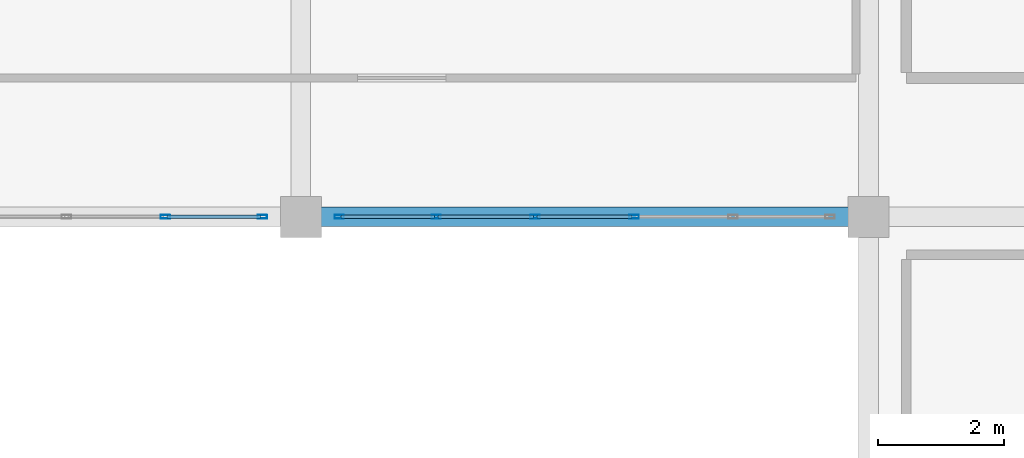
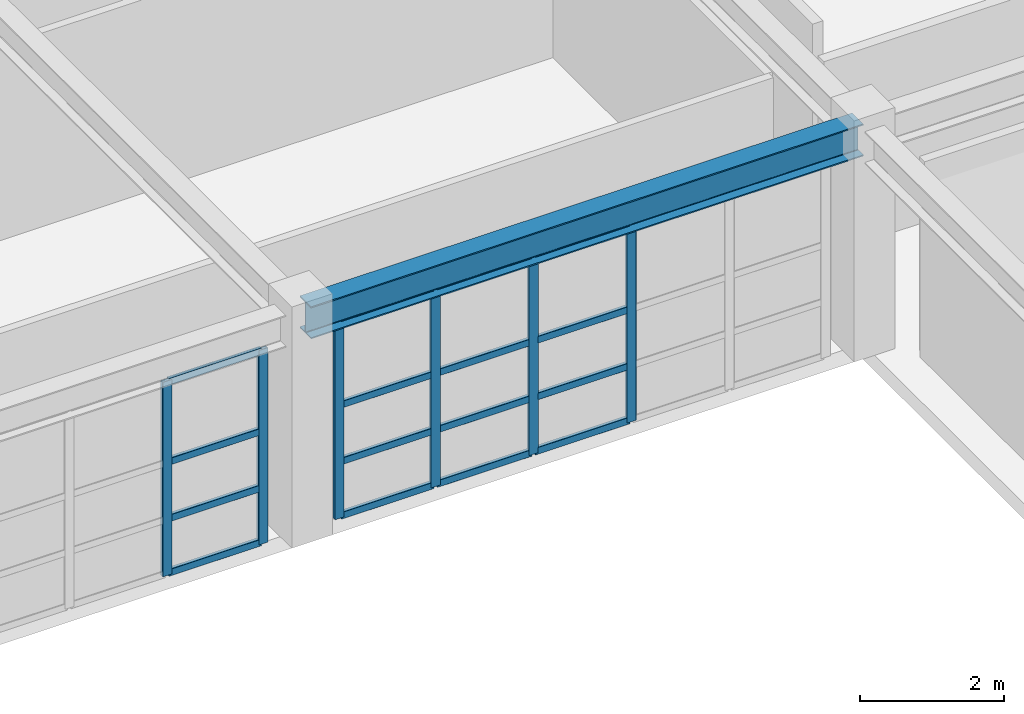
# One storey, part 86 of 130: 22 members, 1 beam, 2 elements without a shape of their own.
"""IFC4 building model written with IfcOpenShell, lengths in metres."""

from ifc_helpers import new_model, si_unit, direction, frame, origin, origin_2d, place, context, subcontext, project, spatial, hollow_rectangle, i_section, extrude, material, material_profile, profile_set, type_object, element, aggregate, save


model = new_model("IFC4")

# Units and contexts
model_context = context("Model", 3, precision=1e-05, world=origin(), true_north=direction((0.0, 1.0)))
body_context = subcontext(model_context, "Body", "Model", "MODEL_VIEW")
ifc_project = project(units=[si_unit("LENGTHUNIT", "METRE"), si_unit("AREAUNIT", "SQUARE_METRE"), si_unit("VOLUMEUNIT", "CUBIC_METRE"), si_unit("PLANEANGLEUNIT", "RADIAN"), si_unit("MASSUNIT", "GRAM", prefix="KILO")], contexts=[model_context])

# Site, building, storey
site_placement = place(None, origin())
site = spatial("IfcSite", under=ifc_project, at=site_placement, CompositionType="ELEMENT")
building_placement = place(site_placement, origin())
building = spatial("IfcBuilding", under=site, at=building_placement, Name="Miravela Opera House", CompositionType="ELEMENT")
storey_placement = place(building_placement, frame((0.0, 0.0, 9.52001953125)))
storey = spatial("IfcBuildingStorey", under=building, at=storey_placement, Name="L02", CompositionType="ELEMENT", Elevation=9.52001953125)

# Curtain wall, members
ifc_material_1 = material(Name="Anodised architectural bronze aluminium 6063-T6", Category="aluminium")
curtain_wall_type = type_object("IfcCurtainWallType", Name="ARC-CW-05", PredefinedType="NOTDEFINED", material=ifc_material_1)
curtain_wall_1_placement = place(storey_placement, origin())
curtain_wall_1 = element("IfcCurtainWall", 1, at=curtain_wall_1_placement, inside=storey, type_object=curtain_wall_type, Name="Courtyard Arcade Curtain Wall CW-L02-185", PredefinedType="NOTDEFINED")
ifc_material_profile_1 = material_profile(ifc_material_1, hollow_rectangle(XDim=0.06005859375, YDim=0.14990234375, WallThickness=0.00390625, InnerFilletRadius=0.001953125, OuterFilletRadius=0.00390625, at=origin_2d()), Name="CWM-60X150")
ifc_profile_set_1 = profile_set([ifc_material_profile_1])
member_type_1 = type_object("IfcMemberType", Name="ARC-CWM-150", PredefinedType="MULLION", material=ifc_profile_set_1)
member_1_placement = place(storey_placement, frame((132.85205078125, 103.0, 0.0), z_axis=(0.0, 0.0, 1.0), x_axis=(0.0, 1.0, 0.0)))
member_1 = element("IfcMember", 2, at=member_1_placement, type_object=member_type_1, Name="CW-05 mullion 5", PredefinedType="MULLION", context=body_context, shape_type="SweptSolid", body=[
    extrude(hollow_rectangle(XDim=0.06005859375, YDim=0.14990234375, WallThickness=0.00390625, InnerFilletRadius=0.001953125, OuterFilletRadius=0.00390625, at=origin_2d()), origin(), (0.0, 0.0, 1.0), 3.2900390625),
])
member_2_placement = place(storey_placement, frame((134.389892578125, 103.0, 0.0), z_axis=(0.0, 0.0, 1.0), x_axis=(0.0, 1.0, 0.0)))
member_2 = element("IfcMember", 3, at=member_2_placement, type_object=member_type_1, Name="CW-05 mullion 6", PredefinedType="MULLION", context=body_context, shape_type="SweptSolid", body=[
    extrude(hollow_rectangle(XDim=0.06005859375, YDim=0.14990234375, WallThickness=0.00390625, InnerFilletRadius=0.001953125, OuterFilletRadius=0.00390625, at=origin_2d()), origin(), (0.0, 0.0, 1.0), 3.2900390625),
])

curtain_wall_2_placement = place(storey_placement, origin())
curtain_wall_2 = element("IfcCurtainWall", 4, at=curtain_wall_2_placement, inside=storey, type_object=curtain_wall_type, Name="Courtyard Arcade Curtain Wall CW-L02-189", PredefinedType="NOTDEFINED")
member_3_placement = place(storey_placement, frame((135.610107421875, 103.0, 0.0), z_axis=(0.0, 0.0, 1.0), x_axis=(0.0, 1.0, 0.0)))
member_3 = element("IfcMember", 5, at=member_3_placement, type_object=member_type_1, Name="CW-05 mullion 1", PredefinedType="MULLION", context=body_context, shape_type="SweptSolid", body=[
    extrude(hollow_rectangle(XDim=0.06005859375, YDim=0.14990234375, WallThickness=0.00390625, InnerFilletRadius=0.001953125, OuterFilletRadius=0.00390625, at=origin_2d()), origin(), (0.0, 0.0, 1.0), 3.2900390625),
])
member_4_placement = place(storey_placement, frame((137.14794921875, 103.0, 0.0), z_axis=(0.0, 0.0, 1.0), x_axis=(0.0, 1.0, 0.0)))
member_4 = element("IfcMember", 6, at=member_4_placement, type_object=member_type_1, Name="CW-05 mullion 2", PredefinedType="MULLION", context=body_context, shape_type="SweptSolid", body=[
    extrude(hollow_rectangle(XDim=0.06005859375, YDim=0.14990234375, WallThickness=0.00390625, InnerFilletRadius=0.001953125, OuterFilletRadius=0.00390625, at=origin_2d()), origin(), (0.0, 0.0, 1.0), 3.2900390625),
])
member_5_placement = place(storey_placement, frame((138.716064453125, 103.0, 0.0), z_axis=(0.0, 0.0, 1.0), x_axis=(0.0, 1.0, 0.0)))
member_5 = element("IfcMember", 7, at=member_5_placement, type_object=member_type_1, Name="CW-05 mullion 3", PredefinedType="MULLION", context=body_context, shape_type="SweptSolid", body=[
    extrude(hollow_rectangle(XDim=0.06005859375, YDim=0.14990234375, WallThickness=0.00390625, InnerFilletRadius=0.001953125, OuterFilletRadius=0.00390625, at=origin_2d()), origin(), (0.0, 0.0, 1.0), 3.2900390625),
])
member_6_placement = place(storey_placement, frame((140.283935546875, 103.0, 0.0), z_axis=(0.0, 0.0, 1.0), x_axis=(0.0, 1.0, 0.0)))
member_6 = element("IfcMember", 8, at=member_6_placement, type_object=member_type_1, Name="CW-05 mullion 4", PredefinedType="MULLION", context=body_context, shape_type="SweptSolid", body=[
    extrude(hollow_rectangle(XDim=0.06005859375, YDim=0.14990234375, WallThickness=0.00390625, InnerFilletRadius=0.001953125, OuterFilletRadius=0.00390625, at=origin_2d()), origin(), (0.0, 0.0, 1.0), 3.2900390625),
])

# Member
ifc_material_profile_2 = material_profile(ifc_material_1, hollow_rectangle(XDim=0.06005859375, YDim=0.114990234375, WallThickness=0.00390625, InnerFilletRadius=0.001953125, OuterFilletRadius=0.00390625, at=origin_2d()), Name="CWT-60X115")
ifc_profile_set_2 = profile_set([ifc_material_profile_2])
member_type_2 = type_object("IfcMemberType", Name="ARC-CWT-115", PredefinedType="USERDEFINED", material=ifc_profile_set_2)
member_7_placement = place(storey_placement, frame((132.882080078125, 103.0, 0.030029296875), z_axis=(1.0, 0.0, 0.0), x_axis=(0.0, 1.0, 0.0)))
member_7 = element("IfcMember", 9, at=member_7_placement, type_object=member_type_2, Name="CW-05 transom 5.1", ObjectType="TRANSOM", PredefinedType="USERDEFINED", context=body_context, shape_type="SweptSolid", body=[
    extrude(hollow_rectangle(XDim=0.06005859375, YDim=0.114990234375, WallThickness=0.00390625, InnerFilletRadius=0.001953125, OuterFilletRadius=0.00390625, at=origin_2d()), origin(), (0.0, 0.0, 1.0), 1.47802734375),
])

member_8_placement = place(storey_placement, frame((132.882080078125, 103.0, 0.949951171875), z_axis=(1.0, 0.0, 0.0), x_axis=(0.0, 1.0, 0.0)))
member_8 = element("IfcMember", 10, at=member_8_placement, type_object=member_type_2, Name="CW-05 transom 5.2", ObjectType="TRANSOM", PredefinedType="USERDEFINED", context=body_context, shape_type="SweptSolid", body=[
    extrude(hollow_rectangle(XDim=0.06005859375, YDim=0.114990234375, WallThickness=0.00390625, InnerFilletRadius=0.001953125, OuterFilletRadius=0.00390625, at=origin_2d()), origin(), (0.0, 0.0, 1.0), 1.47802734375),
])

member_9_placement = place(storey_placement, frame((132.882080078125, 103.0, 1.908203125), z_axis=(1.0, 0.0, 0.0), x_axis=(0.0, 1.0, 0.0)))
member_9 = element("IfcMember", 11, at=member_9_placement, type_object=member_type_2, Name="CW-05 transom 5.3", ObjectType="TRANSOM", PredefinedType="USERDEFINED", context=body_context, shape_type="SweptSolid", body=[
    extrude(hollow_rectangle(XDim=0.06005859375, YDim=0.114990234375, WallThickness=0.00390625, InnerFilletRadius=0.001953125, OuterFilletRadius=0.00390625, at=origin_2d()), origin(), (0.0, 0.0, 1.0), 1.47802734375),
])

member_10_placement = place(storey_placement, frame((132.882080078125, 103.0, 3.260009765625), z_axis=(1.0, 0.0, 0.0), x_axis=(0.0, 1.0, 0.0)))
member_10 = element("IfcMember", 12, at=member_10_placement, type_object=member_type_2, Name="CW-05 transom 5.4", ObjectType="TRANSOM", PredefinedType="USERDEFINED", context=body_context, shape_type="SweptSolid", body=[
    extrude(hollow_rectangle(XDim=0.06005859375, YDim=0.114990234375, WallThickness=0.00390625, InnerFilletRadius=0.001953125, OuterFilletRadius=0.00390625, at=origin_2d()), origin(), (0.0, 0.0, 1.0), 1.47802734375),
])

aggregate(curtain_wall_1, [member_1, member_2, member_7, member_8, member_9, member_10])

member_11_placement = place(storey_placement, frame((135.639892578125, 103.0, 0.030029296875), z_axis=(1.0, 0.0, 0.0), x_axis=(0.0, 1.0, 0.0)))
member_11 = element("IfcMember", 13, at=member_11_placement, type_object=member_type_2, Name="CW-05 transom 1.1", ObjectType="TRANSOM", PredefinedType="USERDEFINED", context=body_context, shape_type="SweptSolid", body=[
    extrude(hollow_rectangle(XDim=0.06005859375, YDim=0.114990234375, WallThickness=0.00390625, InnerFilletRadius=0.001953125, OuterFilletRadius=0.00390625, at=origin_2d()), origin(), (0.0, 0.0, 1.0), 1.47802734375),
])

member_12_placement = place(storey_placement, frame((135.639892578125, 103.0, 0.949951171875), z_axis=(1.0, 0.0, 0.0), x_axis=(0.0, 1.0, 0.0)))
member_12 = element("IfcMember", 14, at=member_12_placement, type_object=member_type_2, Name="CW-05 transom 1.2", ObjectType="TRANSOM", PredefinedType="USERDEFINED", context=body_context, shape_type="SweptSolid", body=[
    extrude(hollow_rectangle(XDim=0.06005859375, YDim=0.114990234375, WallThickness=0.00390625, InnerFilletRadius=0.001953125, OuterFilletRadius=0.00390625, at=origin_2d()), origin(), (0.0, 0.0, 1.0), 1.47802734375),
])

member_13_placement = place(storey_placement, frame((135.639892578125, 103.0, 1.908203125), z_axis=(1.0, 0.0, 0.0), x_axis=(0.0, 1.0, 0.0)))
member_13 = element("IfcMember", 15, at=member_13_placement, type_object=member_type_2, Name="CW-05 transom 1.3", ObjectType="TRANSOM", PredefinedType="USERDEFINED", context=body_context, shape_type="SweptSolid", body=[
    extrude(hollow_rectangle(XDim=0.06005859375, YDim=0.114990234375, WallThickness=0.00390625, InnerFilletRadius=0.001953125, OuterFilletRadius=0.00390625, at=origin_2d()), origin(), (0.0, 0.0, 1.0), 1.47802734375),
])

member_14_placement = place(storey_placement, frame((135.639892578125, 103.0, 3.260009765625), z_axis=(1.0, 0.0, 0.0), x_axis=(0.0, 1.0, 0.0)))
member_14 = element("IfcMember", 16, at=member_14_placement, type_object=member_type_2, Name="CW-05 transom 1.4", ObjectType="TRANSOM", PredefinedType="USERDEFINED", context=body_context, shape_type="SweptSolid", body=[
    extrude(hollow_rectangle(XDim=0.06005859375, YDim=0.114990234375, WallThickness=0.00390625, InnerFilletRadius=0.001953125, OuterFilletRadius=0.00390625, at=origin_2d()), origin(), (0.0, 0.0, 1.0), 1.47802734375),
])

member_15_placement = place(storey_placement, frame((137.177978515625, 103.0, 0.030029296875), z_axis=(1.0, 0.0, 0.0), x_axis=(0.0, 1.0, 0.0)))
member_15 = element("IfcMember", 17, at=member_15_placement, type_object=member_type_2, Name="CW-05 transom 2.1", ObjectType="TRANSOM", PredefinedType="USERDEFINED", context=body_context, shape_type="SweptSolid", body=[
    extrude(hollow_rectangle(XDim=0.06005859375, YDim=0.114990234375, WallThickness=0.00390625, InnerFilletRadius=0.001953125, OuterFilletRadius=0.00390625, at=origin_2d()), origin(), (0.0, 0.0, 1.0), 1.508056640625),
])

member_16_placement = place(storey_placement, frame((137.177978515625, 103.0, 0.949951171875), z_axis=(1.0, 0.0, 0.0), x_axis=(0.0, 1.0, 0.0)))
member_16 = element("IfcMember", 18, at=member_16_placement, type_object=member_type_2, Name="CW-05 transom 2.2", ObjectType="TRANSOM", PredefinedType="USERDEFINED", context=body_context, shape_type="SweptSolid", body=[
    extrude(hollow_rectangle(XDim=0.06005859375, YDim=0.114990234375, WallThickness=0.00390625, InnerFilletRadius=0.001953125, OuterFilletRadius=0.00390625, at=origin_2d()), origin(), (0.0, 0.0, 1.0), 1.508056640625),
])

member_17_placement = place(storey_placement, frame((137.177978515625, 103.0, 1.908203125), z_axis=(1.0, 0.0, 0.0), x_axis=(0.0, 1.0, 0.0)))
member_17 = element("IfcMember", 19, at=member_17_placement, type_object=member_type_2, Name="CW-05 transom 2.3", ObjectType="TRANSOM", PredefinedType="USERDEFINED", context=body_context, shape_type="SweptSolid", body=[
    extrude(hollow_rectangle(XDim=0.06005859375, YDim=0.114990234375, WallThickness=0.00390625, InnerFilletRadius=0.001953125, OuterFilletRadius=0.00390625, at=origin_2d()), origin(), (0.0, 0.0, 1.0), 1.508056640625),
])

member_18_placement = place(storey_placement, frame((137.177978515625, 103.0, 3.260009765625), z_axis=(1.0, 0.0, 0.0), x_axis=(0.0, 1.0, 0.0)))
member_18 = element("IfcMember", 20, at=member_18_placement, type_object=member_type_2, Name="CW-05 transom 2.4", ObjectType="TRANSOM", PredefinedType="USERDEFINED", context=body_context, shape_type="SweptSolid", body=[
    extrude(hollow_rectangle(XDim=0.06005859375, YDim=0.114990234375, WallThickness=0.00390625, InnerFilletRadius=0.001953125, OuterFilletRadius=0.00390625, at=origin_2d()), origin(), (0.0, 0.0, 1.0), 1.508056640625),
])

member_19_placement = place(storey_placement, frame((138.74609375, 103.0, 0.030029296875), z_axis=(1.0, 0.0, 0.0), x_axis=(0.0, 1.0, 0.0)))
member_19 = element("IfcMember", 21, at=member_19_placement, type_object=member_type_2, Name="CW-05 transom 3.1", ObjectType="TRANSOM", PredefinedType="USERDEFINED", context=body_context, shape_type="SweptSolid", body=[
    extrude(hollow_rectangle(XDim=0.06005859375, YDim=0.114990234375, WallThickness=0.00390625, InnerFilletRadius=0.001953125, OuterFilletRadius=0.00390625, at=origin_2d()), origin(), (0.0, 0.0, 1.0), 1.5078125),
])

member_20_placement = place(storey_placement, frame((138.74609375, 103.0, 0.949951171875), z_axis=(1.0, 0.0, 0.0), x_axis=(0.0, 1.0, 0.0)))
member_20 = element("IfcMember", 22, at=member_20_placement, type_object=member_type_2, Name="CW-05 transom 3.2", ObjectType="TRANSOM", PredefinedType="USERDEFINED", context=body_context, shape_type="SweptSolid", body=[
    extrude(hollow_rectangle(XDim=0.06005859375, YDim=0.114990234375, WallThickness=0.00390625, InnerFilletRadius=0.001953125, OuterFilletRadius=0.00390625, at=origin_2d()), origin(), (0.0, 0.0, 1.0), 1.5078125),
])

member_21_placement = place(storey_placement, frame((138.74609375, 103.0, 1.908203125), z_axis=(1.0, 0.0, 0.0), x_axis=(0.0, 1.0, 0.0)))
member_21 = element("IfcMember", 23, at=member_21_placement, type_object=member_type_2, Name="CW-05 transom 3.3", ObjectType="TRANSOM", PredefinedType="USERDEFINED", context=body_context, shape_type="SweptSolid", body=[
    extrude(hollow_rectangle(XDim=0.06005859375, YDim=0.114990234375, WallThickness=0.00390625, InnerFilletRadius=0.001953125, OuterFilletRadius=0.00390625, at=origin_2d()), origin(), (0.0, 0.0, 1.0), 1.5078125),
])

member_22_placement = place(storey_placement, frame((138.74609375, 103.0, 3.260009765625), z_axis=(1.0, 0.0, 0.0), x_axis=(0.0, 1.0, 0.0)))
member_22 = element("IfcMember", 24, at=member_22_placement, type_object=member_type_2, Name="CW-05 transom 3.4", ObjectType="TRANSOM", PredefinedType="USERDEFINED", context=body_context, shape_type="SweptSolid", body=[
    extrude(hollow_rectangle(XDim=0.06005859375, YDim=0.114990234375, WallThickness=0.00390625, InnerFilletRadius=0.001953125, OuterFilletRadius=0.00390625, at=origin_2d()), origin(), (0.0, 0.0, 1.0), 1.5078125),
])

aggregate(curtain_wall_2, [member_3, member_4, member_5, member_6, member_11, member_12, member_13, member_14, member_15, member_16, member_17, member_18, member_19, member_20, member_21, member_22])

# Beam
ifc_material_2 = material(Name="Structural steel ASTM A992 Gr. 50", Category="steel")
ifc_material_profile_3 = material_profile(ifc_material_2, i_section(OverallWidth=0.31201171875, OverallDepth=0.54296875, WebThickness=0.0126953125, FlangeThickness=0.020263671875, FilletRadius=0.01611328125, at=origin_2d()), Name="W530X150")
ifc_profile_set_3 = profile_set([ifc_material_profile_3])
beam_type = type_object("IfcBeamType", Name="STR-BM-W530X150", PredefinedType="BEAM", material=ifc_profile_set_3)
beam_placement = place(storey_placement, frame((135.080078125, 103.0, 3.568359375), z_axis=(1.0, 0.0, 0.0), x_axis=(0.0, 1.0, 0.0)))
element("IfcBeam", 25, at=beam_placement, inside=storey, type_object=beam_type, Name="Roof Eave Girder ROOF-V3-NE S3", PredefinedType="BEAM", context=body_context, shape_type="SweptSolid", body=[
    extrude(i_section(OverallWidth=0.31201171875, OverallDepth=0.54296875, WebThickness=0.0126953125, FlangeThickness=0.020263671875, FilletRadius=0.01611328125, at=origin_2d()), origin(), (0.0, 0.0, 1.0), 8.83984375),
])

save(model, "model.ifc")
